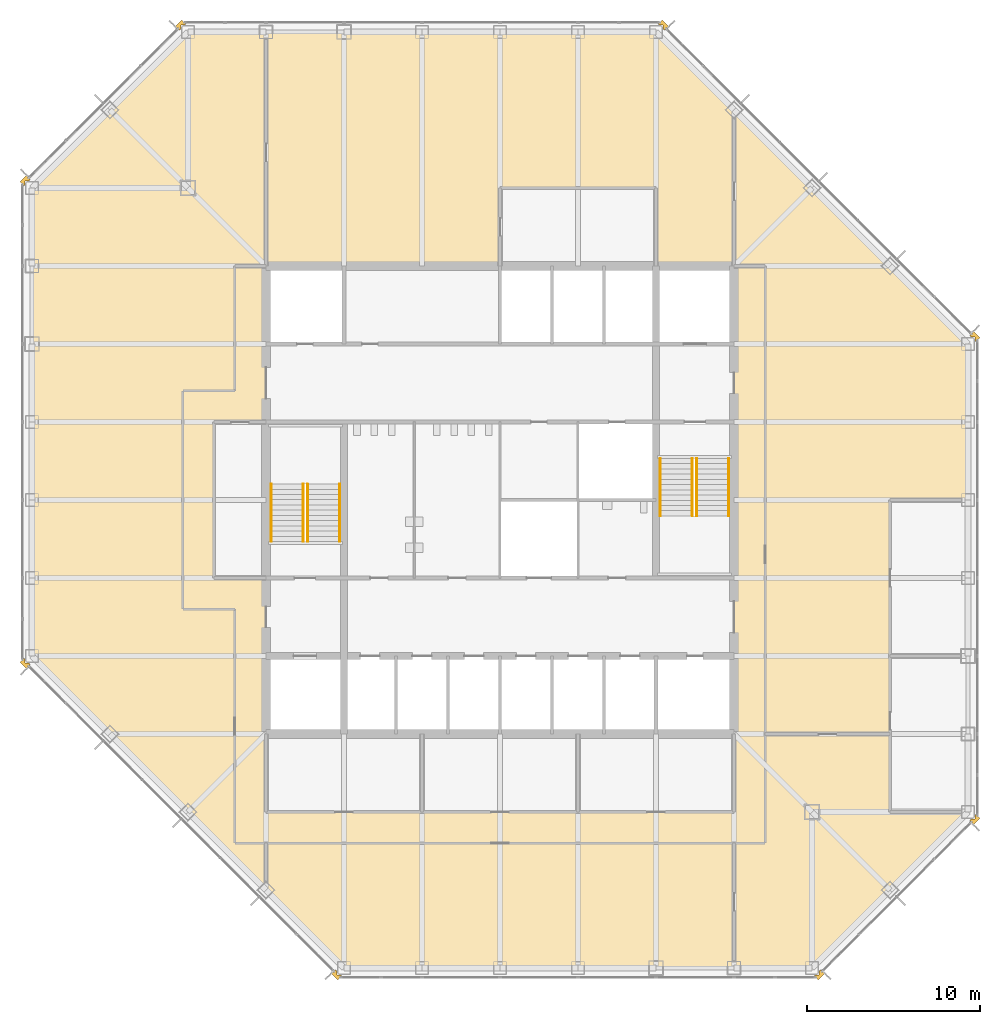
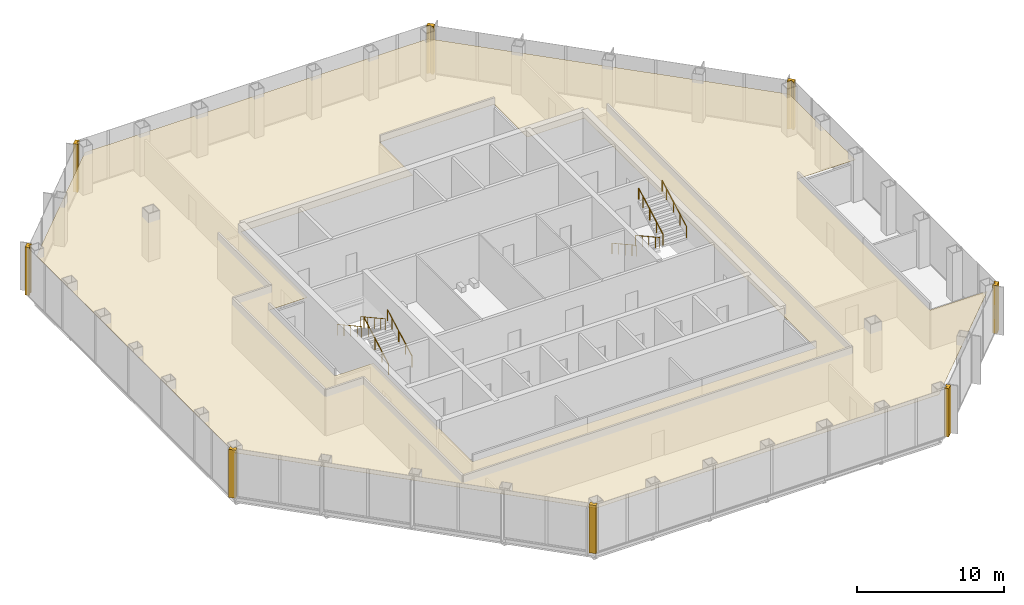
# One storey, part 11 of 12: 9 coverings, 8 railings.
"""IFC4 building model written with IfcOpenShell, lengths in metres."""

import ifcopenshell
import ifcopenshell.guid

model = None  # the IFC model being written
_history = None  # IfcOwnerHistory: only IFC2X3 demands one
_inside = {}  # id of a spatial element -> (the spatial element, [elements in it])
_under = {}  # id of a project, library or spatial element -> (it, [spatial elements below it])
_declared = {}  # id of a project -> (the project, [libraries it declares])
_typed = {}  # id of a type object -> (the type object, [elements of that type])
_made_of = {}  # id of a material, layer set ... -> (it, [elements and type objects made of it])


def new_model(schema):
    """Start an empty IFC model of exactly this schema.

    Asked for "IFC4X3", IfcOpenShell would pick the latest addendum, in which some entities
    have other attributes; the version numbers below select the first issue.
    IFC2X3 requires an IfcOwnerHistory on every rooted entity: one is made here for all.
    """
    global model, _history
    if schema == "IFC4X3":
        model = ifcopenshell.file(schema_version=(4, 3, 0, 0))
    else:
        model = ifcopenshell.file(schema=schema)
    _inside.clear()
    _under.clear()
    _declared.clear()
    _typed.clear()
    _made_of.clear()
    _history = None
    if model.schema == "IFC2X3":
        org = make("IfcOrganization", Name="unknown")
        user = make(
            "IfcPersonAndOrganization",
            ThePerson=make("IfcPerson", FamilyName="unknown"),
            TheOrganization=org,
        )
        app = make(
            "IfcApplication",
            ApplicationDeveloper=org,
            Version="unknown",
            ApplicationFullName="unknown",
            ApplicationIdentifier="unknown",
        )
        _history = make(
            "IfcOwnerHistory",
            OwningUser=user,
            OwningApplication=app,
            ChangeAction="ADDED",
            CreationDate=0,
        )
    return model


def make(cls, **values):
    """One entity of the class cls with the attributes given. An attribute that is None is left unset."""
    return model.create_entity(
        cls, **{name: value for name, value in values.items() if value is not None}
    )


def rooted(cls, **values):
    """An entity with a GlobalId (a new one), such as an element, a storey or a relation."""
    return make(cls, GlobalId=ifcopenshell.guid.new(), OwnerHistory=_history, **values)


def si_unit(unit_type, name, prefix=None):
    """IfcSIUnit, for example si_unit("LENGTHUNIT", "METRE", prefix="MILLI")."""
    return make("IfcSIUnit", UnitType=unit_type, Prefix=prefix, Name=name)


def assignment(units):
    """IfcUnitAssignment: the units of a project."""
    return None if units is None else make("IfcUnitAssignment", Units=units)


def point(xyz):
    """IfcCartesianPoint."""
    return None if xyz is None else make("IfcCartesianPoint", Coordinates=xyz)


def direction(xyz):
    """IfcDirection."""
    return None if xyz is None else make("IfcDirection", DirectionRatios=xyz)


def frame(location, z_axis=None, x_axis=None):
    """IfcAxis2Placement3D, a coordinate frame: its origin and axes. An axis left out is left unset."""
    return make(
        "IfcAxis2Placement3D",
        Location=point(location),
        Axis=direction(z_axis),
        RefDirection=direction(x_axis),
    )


def frame_2d(location, x_axis=None):
    """IfcAxis2Placement2D, a coordinate frame in the plane: its origin and x axis."""
    return make(
        "IfcAxis2Placement2D", Location=point(location), RefDirection=direction(x_axis)
    )


def origin():
    """The frame at (0, 0, 0) with its axes left unset."""
    return frame((0.0, 0.0, 0.0))


def origin_2d():
    """The frame at (0, 0) in the plane with its x axis left unset."""
    return frame_2d((0.0, 0.0))


def place(relative_to, where):
    """IfcLocalPlacement: puts the frame where relative to a parent placement (None: the world)."""
    return make(
        "IfcLocalPlacement", PlacementRelTo=relative_to, RelativePlacement=where
    )


def context(
    kind, dimensions, precision=None, world=None, true_north=None, identifier=None
):
    """IfcGeometricRepresentationContext, for example the 3D "Model" context."""
    return make(
        "IfcGeometricRepresentationContext",
        ContextIdentifier=identifier,
        ContextType=kind,
        CoordinateSpaceDimension=dimensions,
        Precision=precision,
        WorldCoordinateSystem=world,
        TrueNorth=true_north,
    )


def subcontext(parent, identifier, kind, view, scale=None):
    """IfcGeometricRepresentationSubContext, for example "Body" below "Model"."""
    return make(
        "IfcGeometricRepresentationSubContext",
        ContextIdentifier=identifier,
        ContextType=kind,
        ParentContext=parent,
        TargetScale=scale,
        TargetView=view,
    )


def project(units=None, contexts=None):
    """IfcProject with its units and contexts."""
    return rooted(
        "IfcProject",
        Name="project",
        RepresentationContexts=contexts,
        UnitsInContext=assignment(units),
    )


def spatial(cls, under=None, at=None, **own):
    """A site, building, storey or space (cls), placed at a placement, below another one or the project."""
    s = rooted(cls, ObjectPlacement=at, **own)
    if under is not None:
        _under.setdefault(under.id(), (under, []))[1].append(s)
    return s


def polyline(points):
    """IfcPolyline through the points."""
    return make("IfcPolyline", Points=[point(p) for p in points])


def profile(cls, at=None, kind="AREA", **sizes):
    """A parametric profile (cls). Its sizes go by their IFC names, for example OverallWidth=200.0."""
    return make(cls, ProfileType=kind, Position=at, **sizes)


def circle(**sizes):
    """IfcCircleProfileDef."""
    return profile("IfcCircleProfileDef", **sizes)


def outline(outer, holes=None, kind="AREA"):
    """IfcArbitraryClosedProfileDef: a profile drawn as a closed curve; with holes, ...WithVoids."""
    if holes is None:
        return make("IfcArbitraryClosedProfileDef", ProfileType=kind, OuterCurve=outer)
    return make(
        "IfcArbitraryProfileDefWithVoids",
        ProfileType=kind,
        OuterCurve=outer,
        InnerCurves=holes,
    )


def extrude(swept, where, along, depth):
    """IfcExtrudedAreaSolid: the profile swept, set in the frame where, extruded along a direction by depth."""
    return make(
        "IfcExtrudedAreaSolid",
        SweptArea=swept,
        Position=where,
        ExtrudedDirection=direction(along),
        Depth=depth,
    )


def shape(context_of_items, identifier, shape_type, items):
    """IfcShapeRepresentation: the items that make up one representation, for example the "Body"."""
    return make(
        "IfcShapeRepresentation",
        ContextOfItems=context_of_items,
        RepresentationIdentifier=identifier,
        RepresentationType=shape_type,
        Items=items,
    )


def material(Name=None, Category=None):
    """IfcMaterial."""
    return make("IfcMaterial", Name=Name, Category=Category)


def layer(
    of_material, thickness, ventilated=None, Name=None, Category=None, Priority=None
):
    """IfcMaterialLayer: one layer of a wall or slab, of a material (None: an air gap)."""
    return make(
        "IfcMaterialLayer",
        Material=of_material,
        LayerThickness=thickness,
        IsVentilated=ventilated,
        Name=Name,
        Category=Category,
        Priority=Priority,
    )


def layer_set(layers, Name=None):
    """IfcMaterialLayerSet."""
    return make("IfcMaterialLayerSet", MaterialLayers=layers, LayerSetName=Name)


def made_of(thing, what):
    """Note that an element or type object is made of a material, layer set ...; save() writes the relation."""
    if what is not None:
        _made_of.setdefault(what.id(), (what, []))[1].append(thing)
    return thing


def type_object(cls, material=None, **own):
    """A type object (cls), such as IfcWallType, which elements share."""
    return made_of(rooted(cls, **own), material)


def element(
    cls,
    number,
    at=None,
    inside=None,
    cuts=None,
    type_object=None,
    material=None,
    context=None,
    identifier="Body",
    shape_type=None,
    held_by="IfcProductDefinitionShape",
    body=None,
    shapes=None,
    **own,
):
    """One element of the class cls, such as IfcWall. Its Tag is "e" and its number.

    at: its placement. inside: the storey or other place that contains it. cuts: it is an
    opening in that element (IfcRelVoidsElement). A single representation is given by context,
    identifier, shape_type and body (its items); several are given by shapes. held_by: the class
    of the entity that holds the representations. save() writes the other relations.
    """
    e = rooted(cls, Tag="e%d" % number, ObjectPlacement=at, **own)
    if body is not None:
        shapes = [shape(context, identifier, shape_type, body)]
    if shapes is not None:
        e.Representation = make(held_by, Representations=shapes)
    if inside is not None:
        _inside.setdefault(inside.id(), (inside, []))[1].append(e)
    if cuts is not None:
        rooted(
            "IfcRelVoidsElement", RelatingBuildingElement=cuts, RelatedOpeningElement=e
        )
    if type_object is not None:
        _typed.setdefault(type_object.id(), (type_object, []))[1].append(e)
    return made_of(e, material)


def aggregate(whole, parts):
    """IfcRelAggregates: a whole, such as a stair, and the parts it consists of."""
    return rooted("IfcRelAggregates", RelatingObject=whole, RelatedObjects=parts)


def save(model, path):
    """Write the relations noted so far, then the file.

    IfcRelAggregates (storeys below a building ...), IfcRelContainedInSpatialStructure (elements
    in a storey), IfcRelDefinesByType, IfcRelAssociatesMaterial and IfcRelDeclares: one each for
    every whole, place, type object, material and project.
    """
    for whole, parts in _under.values():
        aggregate(whole, parts)
    for where, things in _inside.values():
        rooted(
            "IfcRelContainedInSpatialStructure",
            RelatedElements=things,
            RelatingStructure=where,
        )
    for kind, things in _typed.values():
        rooted("IfcRelDefinesByType", RelatedObjects=things, RelatingType=kind)
    for what, things in _made_of.values():
        rooted("IfcRelAssociatesMaterial", RelatedObjects=things, RelatingMaterial=what)
    for by, libraries in _declared.values():
        rooted("IfcRelDeclares", RelatingContext=by, RelatedDefinitions=libraries)
    model.write(path)


model = new_model("IFC4")

# Units and contexts
model_context = context("Model", 3, precision=1e-05, world=origin(), true_north=direction((0.0, 1.0)))
body_context = subcontext(model_context, "Body", "Model", "MODEL_VIEW")
ifc_project = project(units=[si_unit("LENGTHUNIT", "METRE"), si_unit("AREAUNIT", "SQUARE_METRE"), si_unit("VOLUMEUNIT", "CUBIC_METRE"), si_unit("PLANEANGLEUNIT", "RADIAN"), si_unit("MASSUNIT", "GRAM", prefix="KILO")], contexts=[model_context])

# Site, building, storey
site_placement = place(None, origin())
site = spatial("IfcSite", under=ifc_project, at=site_placement, CompositionType="ELEMENT")
building_placement = place(site_placement, origin())
building = spatial("IfcBuilding", under=site, at=building_placement, Name="Corais Broadcast Tower", CompositionType="ELEMENT")
storey_placement = place(building_placement, frame((0.0, 0.0, 139.60009765625)))
storey = spatial("IfcBuildingStorey", under=building, at=storey_placement, Name="L31", CompositionType="ELEMENT", Elevation=139.60009765625)

# Railings
ifc_material_1 = material(Name="Stainless steel handrail", Category="steel")
railing_type = type_object("IfcRailingType", Name="Handrail 920", PredefinedType="HANDRAIL", material=ifc_material_1)
for number, where, name in (
    (1, (17.75, 24.60009765625, 0.16650390625), "HR1 L31"),
    (2, (15.89990234375, 24.60009765625, 0.16650390625), "HR1 L31"),
):
    element("IfcRailing", number, at=place(storey_placement, frame(where)), inside=storey, type_object=railing_type, Name=name, PredefinedType="HANDRAIL", context=body_context, shape_type="SweptSolid", body=[
        extrude(circle(Radius=0.02392578125, at=origin_2d()), frame((0.0, 0.0, 0.89599609375), z_axis=(0.0, 0.875504475178, 0.483210010185), x_axis=(-1.0, 0.0, 0.0)), (0.0, 0.0, 1.0), 3.79443359375),
        extrude(circle(Radius=0.02099609375, at=origin_2d()), origin(), (0.0, 0.0, 1.0), 0.871826171875),
        extrude(circle(Radius=0.02099609375, at=origin_2d()), frame((0.0, 0.906005859375, 0.5)), (0.0, 0.0, 1.0), 0.871826171875),
        extrude(circle(Radius=0.02099609375, at=origin_2d()), frame((0.0, 1.81201171875, 1.0)), (0.0, 0.0, 1.0), 0.871826171875),
        extrude(circle(Radius=0.02099609375, at=origin_2d()), frame((0.0, 2.718017578125, 1.500244140625)), (0.0, 0.0, 1.0), 0.871826171875),
        extrude(circle(Radius=0.02099609375, at=origin_2d()), frame((0.0, 3.322021484375, 1.83349609375)), (0.0, 0.0, 1.0), 0.871826171875),
    ])
for number, where, name in (
    (3, (13.800048828125, 27.922119140625, 2.16650390625), "HR1 L31"),
    (4, (15.64990234375, 27.922119140625, 2.16650390625), "HR1 L31"),
    (5, (36.25, 29.39990234375, 0.16650390625), "HR1 L31"),
    (6, (38.10009765625, 29.39990234375, 0.16650390625), "HR1 L31"),
):
    element("IfcRailing", number, at=place(storey_placement, frame(where)), inside=storey, type_object=railing_type, Name=name, PredefinedType="HANDRAIL", context=body_context, shape_type="SweptSolid", body=[
        extrude(circle(Radius=0.02392578125, at=origin_2d()), frame((0.0, 0.0, 0.89599609375), z_axis=(0.0, -0.875504475178, 0.483210010185), x_axis=(1.0, 0.0, 0.0)), (0.0, 0.0, 1.0), 3.79443359375),
        extrude(circle(Radius=0.02099609375, at=origin_2d()), origin(), (0.0, 0.0, 1.0), 0.871826171875),
        extrude(circle(Radius=0.02099609375, at=origin_2d()), frame((0.0, -0.906005859375, 0.5)), (0.0, 0.0, 1.0), 0.871826171875),
        extrude(circle(Radius=0.02099609375, at=origin_2d()), frame((0.0, -1.81201171875, 1.0)), (0.0, 0.0, 1.0), 0.871826171875),
        extrude(circle(Radius=0.02099609375, at=origin_2d()), frame((0.0, -2.718017578125, 1.500244140625)), (0.0, 0.0, 1.0), 0.871826171875),
        extrude(circle(Radius=0.02099609375, at=origin_2d()), frame((0.0, -3.322021484375, 1.83349609375)), (0.0, 0.0, 1.0), 0.871826171875),
    ])
for number, where, name in (
    (7, (40.199951171875, 26.077880859375, 2.16650390625), "HR1 L31"),
    (8, (38.35009765625, 26.077880859375, 2.16650390625), "HR1 L31"),
):
    element("IfcRailing", number, at=place(storey_placement, frame(where)), inside=storey, type_object=railing_type, Name=name, PredefinedType="HANDRAIL", context=body_context, shape_type="SweptSolid", body=[
        extrude(circle(Radius=0.02392578125, at=origin_2d()), frame((0.0, 0.0, 0.89599609375), z_axis=(0.0, 0.875504475178, 0.483210010185), x_axis=(-1.0, 0.0, 0.0)), (0.0, 0.0, 1.0), 3.79443359375),
        extrude(circle(Radius=0.02099609375, at=origin_2d()), origin(), (0.0, 0.0, 1.0), 0.871826171875),
        extrude(circle(Radius=0.02099609375, at=origin_2d()), frame((0.0, 0.906005859375, 0.5)), (0.0, 0.0, 1.0), 0.871826171875),
        extrude(circle(Radius=0.02099609375, at=origin_2d()), frame((0.0, 1.81201171875, 1.0)), (0.0, 0.0, 1.0), 0.871826171875),
        extrude(circle(Radius=0.02099609375, at=origin_2d()), frame((0.0, 2.718017578125, 1.500244140625)), (0.0, 0.0, 1.0), 0.871826171875),
        extrude(circle(Radius=0.02099609375, at=origin_2d()), frame((0.0, 3.322021484375, 1.83349609375)), (0.0, 0.0, 1.0), 0.871826171875),
    ])

# Coverings
ifc_material_2 = material(Name="Granite stone cladding", Category="masonry")
ifc_layer_1 = layer(ifc_material_2, 0.324951171875)
ifc_layer_set_1 = layer_set([ifc_layer_1], Name="Granite stone cladding")
covering_type_1 = type_object("IfcCoveringType", Name="Stone corner pier cladding 500x325", PredefinedType="CLADDING", material=ifc_layer_set_1)
covering_1_placement = place(storey_placement, origin())
element("IfcCovering", 9, at=covering_1_placement, inside=storey, type_object=covering_type_1, Name="SP1 stone corner pier L31", PredefinedType="CLADDING", context=body_context, shape_type="SweptSolid", body=[
    extrude(outline(polyline([(17.860595703125, -0.461669921875), (17.799072265625, -0.39990234375), (17.60009765625, -0.39990234375), (17.60009765625, -0.200927734375), (17.507080078125, -0.108154296875), (17.277099609375, -0.337890625), (17.630859375, -0.69140625), (17.860595703125, -0.461669921875)])), origin(), (0.0, 0.0, 1.0), 4.0),
])
covering_2_placement = place(storey_placement, origin())
element("IfcCovering", 10, at=covering_2_placement, inside=storey, type_object=covering_type_1, Name="SP1 stone corner pier L31", PredefinedType="CLADDING", context=body_context, shape_type="SweptSolid", body=[
    extrude(outline(polyline([(-0.39990234375, 17.799072265625), (-0.461669921875, 17.860595703125), (-0.69140625, 17.630859375), (-0.337890625, 17.277099609375), (-0.108154296875, 17.507080078125), (-0.200927734375, 17.60009765625), (-0.39990234375, 17.60009765625), (-0.39990234375, 17.799072265625)])), origin(), (0.0, 0.0, 1.0), 4.0),
])
covering_3_placement = place(storey_placement, origin())
element("IfcCovering", 11, at=covering_3_placement, inside=storey, type_object=covering_type_1, Name="SP1 stone corner pier L31", PredefinedType="CLADDING", context=body_context, shape_type="SweptSolid", body=[
    extrude(outline(polyline([(-0.461669921875, 45.139404296875), (-0.39990234375, 45.200927734375), (-0.39990234375, 45.39990234375), (-0.200927734375, 45.39990234375), (-0.108154296875, 45.492919921875), (-0.337890625, 45.722900390625), (-0.69140625, 45.369140625), (-0.461669921875, 45.139404296875)])), origin(), (0.0, 0.0, 1.0), 4.0),
])
covering_4_placement = place(storey_placement, origin())
element("IfcCovering", 12, at=covering_4_placement, inside=storey, type_object=covering_type_1, Name="SP1 stone corner pier L31", PredefinedType="CLADDING", context=body_context, shape_type="SweptSolid", body=[
    extrude(outline(polyline([(8.799072265625, 54.39990234375), (8.860595703125, 54.461669921875), (8.630859375, 54.69140625), (8.277099609375, 54.337890625), (8.507080078125, 54.108154296875), (8.60009765625, 54.200927734375), (8.60009765625, 54.39990234375), (8.799072265625, 54.39990234375)])), origin(), (0.0, 0.0, 1.0), 4.0),
])
covering_5_placement = place(storey_placement, origin())
element("IfcCovering", 13, at=covering_5_placement, inside=storey, type_object=covering_type_1, Name="SP1 stone corner pier L31", PredefinedType="CLADDING", context=body_context, shape_type="SweptSolid", body=[
    extrude(outline(polyline([(36.139404296875, 54.461669921875), (36.200927734375, 54.39990234375), (36.39990234375, 54.39990234375), (36.39990234375, 54.200927734375), (36.492919921875, 54.108154296875), (36.722900390625, 54.337890625), (36.369140625, 54.69140625), (36.139404296875, 54.461669921875)])), origin(), (0.0, 0.0, 1.0), 4.0),
])
covering_6_placement = place(storey_placement, origin())
element("IfcCovering", 14, at=covering_6_placement, inside=storey, type_object=covering_type_1, Name="SP1 stone corner pier L31", PredefinedType="CLADDING", context=body_context, shape_type="SweptSolid", body=[
    extrude(outline(polyline([(54.39990234375, 36.200927734375), (54.461669921875, 36.139404296875), (54.69140625, 36.369140625), (54.337890625, 36.722900390625), (54.108154296875, 36.492919921875), (54.200927734375, 36.39990234375), (54.39990234375, 36.39990234375), (54.39990234375, 36.200927734375)])), origin(), (0.0, 0.0, 1.0), 4.0),
])
covering_7_placement = place(storey_placement, origin())
element("IfcCovering", 15, at=covering_7_placement, inside=storey, type_object=covering_type_1, Name="SP1 stone corner pier L31", PredefinedType="CLADDING", context=body_context, shape_type="SweptSolid", body=[
    extrude(outline(polyline([(54.461669921875, 8.860595703125), (54.39990234375, 8.799072265625), (54.39990234375, 8.60009765625), (54.200927734375, 8.60009765625), (54.108154296875, 8.507080078125), (54.337890625, 8.277099609375), (54.69140625, 8.630859375), (54.461669921875, 8.860595703125)])), origin(), (0.0, 0.0, 1.0), 4.0),
])
covering_8_placement = place(storey_placement, origin())
element("IfcCovering", 16, at=covering_8_placement, inside=storey, type_object=covering_type_1, Name="SP1 stone corner pier L31", PredefinedType="CLADDING", context=body_context, shape_type="SweptSolid", body=[
    extrude(outline(polyline([(45.200927734375, -0.39990234375), (45.139404296875, -0.461669921875), (45.369140625, -0.69140625), (45.722900390625, -0.337890625), (45.492919921875, -0.108154296875), (45.39990234375, -0.200927734375), (45.39990234375, -0.39990234375), (45.200927734375, -0.39990234375)])), origin(), (0.0, 0.0, 1.0), 4.0),
])
ifc_material_3 = material(Name="Mineral fibre ceiling tile", Category="mineral")
ifc_layer_2 = layer(ifc_material_3, 0.02001953125)
ifc_layer_set_2 = layer_set([ifc_layer_2], Name="Mineral fibre ceiling tile")
covering_type_2 = type_object("IfcCoveringType", Name="Suspended ceiling", PredefinedType="CEILING", material=ifc_layer_set_2)
covering_9_placement = place(storey_placement, frame((0.0, 0.0, 3.219970703125)))
element("IfcCovering", 17, at=covering_9_placement, inside=storey, type_object=covering_type_2, Name="CE1 ceiling L31", PredefinedType="CEILING", context=body_context, shape_type="SweptSolid", body=[
    extrude(outline(polyline([(49.5, 9.0), (54.0, 9.0), (45.0, 0.0), (18.0, 0.0), (13.501708984375, 4.498291015625), (13.499755859375, 4.500244140625), (0.0, 18.0), (0.0, 45.0), (9.0, 54.0), (36.0, 54.0), (54.0, 36.0), (54.0, 27.0), (49.5, 27.0), (49.5, 9.0)]), holes=[polyline([(13.5, 31.5), (10.5, 31.5), (10.5, 22.5), (13.5, 22.5), (13.5, 9.0), (40.5, 9.0), (40.5, 40.5), (36.0, 40.5), (36.0, 45.0), (27.0, 45.0), (27.0, 40.5), (13.5, 40.5), (13.5, 31.5)])]), origin(), (0.0, 0.0, 1.0), 0.02001953125),
])

save(model, "model.ifc")
